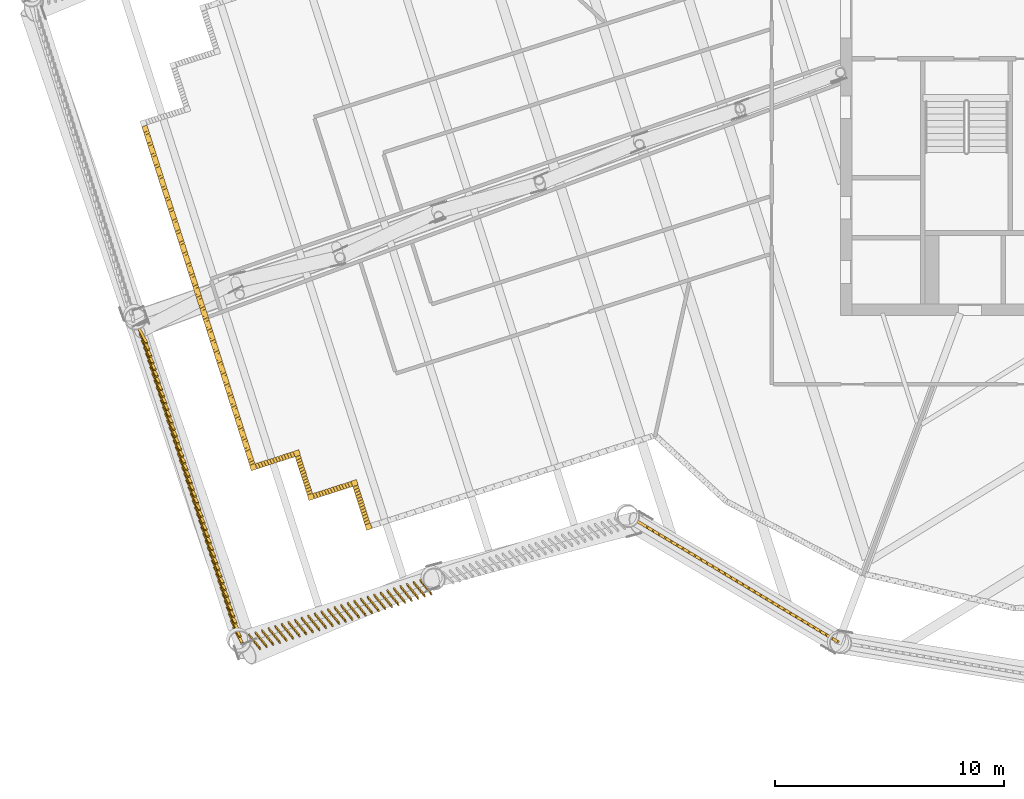
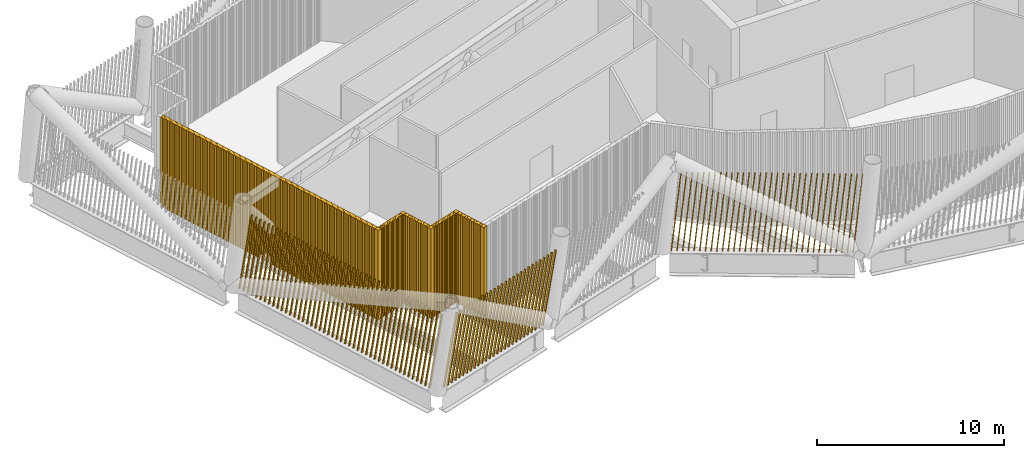
# One storey, part 29 of 40: 13 shading devices.
"""IFC4 building model written with IfcOpenShell, lengths in metres."""

from ifc_helpers import new_model, si_unit, direction, frame, frame_2d, origin, origin_2d, place, context, subcontext, project, spatial, rectangle, composite_profile, extrude, material, type_object, element, save


model = new_model("IFC4")

# Units and contexts
model_context = context("Model", 3, precision=1e-05, world=origin(), true_north=direction((0.0, 1.0)))
body_context = subcontext(model_context, "Body", "Model", "MODEL_VIEW")
ifc_project = project(units=[si_unit("LENGTHUNIT", "METRE"), si_unit("AREAUNIT", "SQUARE_METRE"), si_unit("VOLUMEUNIT", "CUBIC_METRE"), si_unit("PLANEANGLEUNIT", "RADIAN"), si_unit("MASSUNIT", "GRAM", prefix="KILO")], contexts=[model_context])

# Site, building, storey
site_placement = place(None, origin())
site = spatial("IfcSite", under=ifc_project, at=site_placement, CompositionType="ELEMENT")
building_placement = place(site_placement, origin())
building = spatial("IfcBuilding", under=site, at=building_placement, Name="Tarsis Ring Headquarters", CompositionType="ELEMENT")
storey_placement = place(building_placement, frame((0.0, 0.0, 354.800048828125)))
storey = spatial("IfcBuildingStorey", under=building, at=storey_placement, Name="L84", CompositionType="ELEMENT", Elevation=354.800048828125)

# Shading devices
ifc_material_1 = material(Name="Aluminium louvre", Category="aluminium")
shading_device_type_1 = type_object("IfcShadingDeviceType", Name="Plant louvre fin", PredefinedType="USERDEFINED", material=ifc_material_1)
shading_device_1_placement = place(storey_placement, frame((-40.34521484375, -4.72607421875, 0.0), z_axis=(0.0, 0.0, 1.0), x_axis=(0.303695186492, -0.952762726815, 0.0)))
element("IfcShadingDevice", 1, at=shading_device_1_placement, inside=storey, type_object=shading_device_type_1, Name="Louvre L84-36", ObjectType="Louvre", PredefinedType="USERDEFINED", context=body_context, shape_type="SweptSolid", body=[
    extrude(composite_profile([rectangle(XDim=0.1201171875, YDim=0.239990234375, at=frame_2d((0.076171875, 0.0), x_axis=(0.990268068742, 0.13917310096))), rectangle(XDim=0.1201171875, YDim=0.239990234375, at=frame_2d((0.201904296875, 0.0), x_axis=(0.990268068742, 0.13917310096))), rectangle(XDim=0.1201171875, YDim=0.239990234375, at=frame_2d((0.327880859375, 0.0), x_axis=(0.990268068742, 0.13917310096))), rectangle(XDim=0.1201171875, YDim=0.239990234375, at=frame_2d((0.45361328125, 0.0), x_axis=(0.990268068742, 0.13917310096))), rectangle(XDim=0.1201171875, YDim=0.239990234375, at=frame_2d((0.579345703125, 0.0), x_axis=(0.990268068742, 0.13917310096))), rectangle(XDim=0.1201171875, YDim=0.239990234375, at=frame_2d((0.705078125, 0.0), x_axis=(0.990268068742, 0.13917310096))), rectangle(XDim=0.1201171875, YDim=0.239990234375, at=frame_2d((0.8310546875, 0.0), x_axis=(0.990268068742, 0.13917310096))), rectangle(XDim=0.1201171875, YDim=0.239990234375, at=frame_2d((0.956787109375, 0.0), x_axis=(0.990268068742, 0.13917310096))), rectangle(XDim=0.1201171875, YDim=0.239990234375, at=frame_2d((1.08251953125, 0.0), x_axis=(0.990268068742, 0.13917310096))), rectangle(XDim=0.1201171875, YDim=0.239990234375, at=frame_2d((1.208251953125, 0.0), x_axis=(0.990268068742, 0.13917310096))), rectangle(XDim=0.1201171875, YDim=0.239990234375, at=frame_2d((1.334228515625, 0.0), x_axis=(0.990268068742, 0.13917310096))), rectangle(XDim=0.1201171875, YDim=0.239990234375, at=frame_2d((1.4599609375, 0.0), x_axis=(0.990268068742, 0.13917310096))), rectangle(XDim=0.1201171875, YDim=0.239990234375, at=frame_2d((1.585693359375, 0.0), x_axis=(0.990268068742, 0.13917310096))), rectangle(XDim=0.1201171875, YDim=0.239990234375, at=frame_2d((1.711669921875, 0.0), x_axis=(0.990268068742, 0.13917310096))), rectangle(XDim=0.1201171875, YDim=0.239990234375, at=frame_2d((1.83740234375, 0.0), x_axis=(0.990268068742, 0.13917310096))), rectangle(XDim=0.1201171875, YDim=0.239990234375, at=frame_2d((1.963134765625, 0.0), x_axis=(0.990268068742, 0.13917310096))), rectangle(XDim=0.1201171875, YDim=0.239990234375, at=frame_2d((2.0888671875, 0.0), x_axis=(0.990268068742, 0.13917310096))), rectangle(XDim=0.1201171875, YDim=0.239990234375, at=frame_2d((2.21484375, 0.0), x_axis=(0.990268068742, 0.13917310096))), rectangle(XDim=0.1201171875, YDim=0.239990234375, at=frame_2d((2.340576171875, 0.0), x_axis=(0.990268068742, 0.13917310096))), rectangle(XDim=0.1201171875, YDim=0.239990234375, at=frame_2d((2.46630859375, 0.0), x_axis=(0.990268068742, 0.13917310096))), rectangle(XDim=0.1201171875, YDim=0.239990234375, at=frame_2d((2.592041015625, 0.0), x_axis=(0.990268068742, 0.13917310096))), rectangle(XDim=0.1201171875, YDim=0.239990234375, at=frame_2d((2.718017578125, 0.0), x_axis=(0.990268068742, 0.13917310096))), rectangle(XDim=0.1201171875, YDim=0.239990234375, at=frame_2d((2.84375, 0.0), x_axis=(0.990268068742, 0.13917310096))), rectangle(XDim=0.1201171875, YDim=0.239990234375, at=frame_2d((2.969482421875, 0.0), x_axis=(0.990268068742, 0.13917310096))), rectangle(XDim=0.1201171875, YDim=0.239990234375, at=frame_2d((3.09521484375, 0.0), x_axis=(0.990268068742, 0.13917310096))), rectangle(XDim=0.1201171875, YDim=0.239990234375, at=frame_2d((3.22119140625, 0.0), x_axis=(0.990268068742, 0.13917310096))), rectangle(XDim=0.1201171875, YDim=0.239990234375, at=frame_2d((3.346923828125, 0.0), x_axis=(0.990268068742, 0.13917310096))), rectangle(XDim=0.1201171875, YDim=0.239990234375, at=frame_2d((3.47265625, 0.0), x_axis=(0.990268068742, 0.13917310096))), rectangle(XDim=0.1201171875, YDim=0.239990234375, at=frame_2d((3.5986328125, 0.0), x_axis=(0.990268068742, 0.13917310096))), rectangle(XDim=0.1201171875, YDim=0.239990234375, at=frame_2d((3.724365234375, 0.0), x_axis=(0.990268068742, 0.13917310096))), rectangle(XDim=0.1201171875, YDim=0.239990234375, at=frame_2d((3.85009765625, 0.0), x_axis=(0.990268068742, 0.13917310096))), rectangle(XDim=0.1201171875, YDim=0.239990234375, at=frame_2d((3.975830078125, 0.0), x_axis=(0.990268068742, 0.13917310096))), rectangle(XDim=0.1201171875, YDim=0.239990234375, at=frame_2d((4.101806640625, 0.0), x_axis=(0.990268068742, 0.13917310096))), rectangle(XDim=0.1201171875, YDim=0.239990234375, at=frame_2d((4.2275390625, 0.0), x_axis=(0.990268068742, 0.13917310096))), rectangle(XDim=0.1201171875, YDim=0.239990234375, at=frame_2d((4.353271484375, 0.0), x_axis=(0.990268068742, 0.13917310096))), rectangle(XDim=0.1201171875, YDim=0.239990234375, at=frame_2d((4.47900390625, 0.0), x_axis=(0.990268068742, 0.13917310096))), rectangle(XDim=0.1201171875, YDim=0.239990234375, at=frame_2d((4.60498046875, 0.0), x_axis=(0.990268068742, 0.13917310096))), rectangle(XDim=0.1201171875, YDim=0.239990234375, at=frame_2d((4.730712890625, 0.0), x_axis=(0.990268068742, 0.13917310096))), rectangle(XDim=0.1201171875, YDim=0.239990234375, at=frame_2d((4.8564453125, 0.0), x_axis=(0.990268068742, 0.13917310096))), rectangle(XDim=0.1201171875, YDim=0.239990234375, at=frame_2d((4.982421875, 0.0), x_axis=(0.990268068742, 0.13917310096))), rectangle(XDim=0.1201171875, YDim=0.239990234375, at=frame_2d((5.108154296875, 0.0), x_axis=(0.990268068742, 0.13917310096))), rectangle(XDim=0.1201171875, YDim=0.239990234375, at=frame_2d((5.23388671875, 0.0), x_axis=(0.990268068742, 0.13917310096))), rectangle(XDim=0.1201171875, YDim=0.239990234375, at=frame_2d((5.359619140625, 0.0), x_axis=(0.990268068742, 0.13917310096))), rectangle(XDim=0.1201171875, YDim=0.239990234375, at=frame_2d((5.485595703125, 0.0), x_axis=(0.990268068742, 0.13917310096))), rectangle(XDim=0.1201171875, YDim=0.239990234375, at=frame_2d((5.611328125, 0.0), x_axis=(0.990268068742, 0.13917310096))), rectangle(XDim=0.1201171875, YDim=0.239990234375, at=frame_2d((5.737060546875, 0.0), x_axis=(0.990268068742, 0.13917310096))), rectangle(XDim=0.1201171875, YDim=0.239990234375, at=frame_2d((5.86279296875, 0.0), x_axis=(0.990268068742, 0.13917310096))), rectangle(XDim=0.1201171875, YDim=0.239990234375, at=frame_2d((5.98876953125, 0.0), x_axis=(0.990268068742, 0.13917310096))), rectangle(XDim=0.1201171875, YDim=0.239990234375, at=frame_2d((6.114501953125, 0.0), x_axis=(0.990268068742, 0.13917310096))), rectangle(XDim=0.1201171875, YDim=0.239990234375, at=frame_2d((6.240234375, 0.0), x_axis=(0.990268068742, 0.13917310096))), rectangle(XDim=0.1201171875, YDim=0.239990234375, at=frame_2d((6.3662109375, 0.0), x_axis=(0.990268068742, 0.13917310096))), rectangle(XDim=0.1201171875, YDim=0.239990234375, at=frame_2d((6.491943359375, 0.0), x_axis=(0.990268068742, 0.13917310096))), rectangle(XDim=0.1201171875, YDim=0.239990234375, at=frame_2d((6.61767578125, 0.0), x_axis=(0.990268068742, 0.13917310096))), rectangle(XDim=0.1201171875, YDim=0.239990234375, at=frame_2d((6.743408203125, 0.0), x_axis=(0.990268068742, 0.13917310096))), rectangle(XDim=0.1201171875, YDim=0.239990234375, at=frame_2d((6.869384765625, 0.0), x_axis=(0.990268068742, 0.13917310096))), rectangle(XDim=0.1201171875, YDim=0.239990234375, at=frame_2d((6.9951171875, 0.0), x_axis=(0.990268068742, 0.13917310096))), rectangle(XDim=0.1201171875, YDim=0.239990234375, at=frame_2d((7.120849609375, 0.0), x_axis=(0.990268068742, 0.13917310096))), rectangle(XDim=0.1201171875, YDim=0.239990234375, at=frame_2d((7.24658203125, 0.0), x_axis=(0.990268068742, 0.13917310096))), rectangle(XDim=0.1201171875, YDim=0.239990234375, at=frame_2d((7.37255859375, 0.0), x_axis=(0.990268068742, 0.13917310096))), rectangle(XDim=0.1201171875, YDim=0.239990234375, at=frame_2d((7.498291015625, 0.0), x_axis=(0.990268068742, 0.13917310096))), rectangle(XDim=0.1201171875, YDim=0.239990234375, at=frame_2d((7.6240234375, 0.0), x_axis=(0.990268068742, 0.13917310096))), rectangle(XDim=0.1201171875, YDim=0.239990234375, at=frame_2d((7.75, 0.0), x_axis=(0.990268068742, 0.13917310096))), rectangle(XDim=0.1201171875, YDim=0.239990234375, at=frame_2d((7.875732421875, 0.0), x_axis=(0.990268068742, 0.13917310096))), rectangle(XDim=0.1201171875, YDim=0.239990234375, at=frame_2d((8.00146484375, 0.0), x_axis=(0.990268068742, 0.13917310096))), rectangle(XDim=0.1201171875, YDim=0.239990234375, at=frame_2d((8.127197265625, 0.0), x_axis=(0.990268068742, 0.13917310096))), rectangle(XDim=0.1201171875, YDim=0.239990234375, at=frame_2d((8.253173828125, 0.0), x_axis=(0.990268068742, 0.13917310096))), rectangle(XDim=0.1201171875, YDim=0.239990234375, at=frame_2d((8.37890625, 0.0), x_axis=(0.990268068742, 0.13917310096))), rectangle(XDim=0.1201171875, YDim=0.239990234375, at=frame_2d((8.504638671875, 0.0), x_axis=(0.990268068742, 0.13917310096))), rectangle(XDim=0.1201171875, YDim=0.239990234375, at=frame_2d((8.63037109375, 0.0), x_axis=(0.990268068742, 0.13917310096))), rectangle(XDim=0.1201171875, YDim=0.239990234375, at=frame_2d((8.75634765625, 0.0), x_axis=(0.990268068742, 0.13917310096))), rectangle(XDim=0.1201171875, YDim=0.239990234375, at=frame_2d((8.882080078125, 0.0), x_axis=(0.990268068742, 0.13917310096))), rectangle(XDim=0.1201171875, YDim=0.239990234375, at=frame_2d((9.0078125, 0.0), x_axis=(0.990268068742, 0.13917310096))), rectangle(XDim=0.1201171875, YDim=0.239990234375, at=frame_2d((9.133544921875, 0.0), x_axis=(0.990268068742, 0.13917310096))), rectangle(XDim=0.1201171875, YDim=0.239990234375, at=frame_2d((9.259521484375, 0.0), x_axis=(0.990268068742, 0.13917310096))), rectangle(XDim=0.1201171875, YDim=0.239990234375, at=frame_2d((9.38525390625, 0.0), x_axis=(0.990268068742, 0.13917310096))), rectangle(XDim=0.1201171875, YDim=0.239990234375, at=frame_2d((9.510986328125, 0.0), x_axis=(0.990268068742, 0.13917310096))), rectangle(XDim=0.1201171875, YDim=0.239990234375, at=frame_2d((9.636962890625, 0.0), x_axis=(0.990268068742, 0.13917310096))), rectangle(XDim=0.1201171875, YDim=0.239990234375, at=frame_2d((9.7626953125, 0.0), x_axis=(0.990268068742, 0.13917310096))), rectangle(XDim=0.1201171875, YDim=0.239990234375, at=frame_2d((9.888427734375, 0.0), x_axis=(0.990268068742, 0.13917310096))), rectangle(XDim=0.1201171875, YDim=0.239990234375, at=frame_2d((10.01416015625, 0.0), x_axis=(0.990268068742, 0.13917310096))), rectangle(XDim=0.1201171875, YDim=0.239990234375, at=frame_2d((10.14013671875, 0.0), x_axis=(0.990268068742, 0.13917310096))), rectangle(XDim=0.1201171875, YDim=0.239990234375, at=frame_2d((10.265869140625, 0.0), x_axis=(0.990268068742, 0.13917310096))), rectangle(XDim=0.1201171875, YDim=0.239990234375, at=frame_2d((10.3916015625, 0.0), x_axis=(0.990268068742, 0.13917310096))), rectangle(XDim=0.1201171875, YDim=0.239990234375, at=frame_2d((10.517333984375, 0.0), x_axis=(0.990268068742, 0.13917310096))), rectangle(XDim=0.1201171875, YDim=0.239990234375, at=frame_2d((10.643310546875, 0.0), x_axis=(0.990268068742, 0.13917310096))), rectangle(XDim=0.1201171875, YDim=0.239990234375, at=frame_2d((10.76904296875, 0.0), x_axis=(0.990268068742, 0.13917310096))), rectangle(XDim=0.1201171875, YDim=0.239990234375, at=frame_2d((10.894775390625, 0.0), x_axis=(0.990268068742, 0.13917310096))), rectangle(XDim=0.1201171875, YDim=0.239990234375, at=frame_2d((11.020751953125, 0.0), x_axis=(0.990268068742, 0.13917310096))), rectangle(XDim=0.1201171875, YDim=0.239990234375, at=frame_2d((11.146484375, 0.0), x_axis=(0.990268068742, 0.13917310096))), rectangle(XDim=0.1201171875, YDim=0.239990234375, at=frame_2d((11.272216796875, 0.0), x_axis=(0.990268068742, 0.13917310096))), rectangle(XDim=0.1201171875, YDim=0.239990234375, at=frame_2d((11.39794921875, 0.0), x_axis=(0.990268068742, 0.13917310096))), rectangle(XDim=0.1201171875, YDim=0.239990234375, at=frame_2d((11.52392578125, 0.0), x_axis=(0.990268068742, 0.13917310096))), rectangle(XDim=0.1201171875, YDim=0.239990234375, at=frame_2d((11.649658203125, 0.0), x_axis=(0.990268068742, 0.13917310096))), rectangle(XDim=0.1201171875, YDim=0.239990234375, at=frame_2d((11.775390625, 0.0), x_axis=(0.990268068742, 0.13917310096))), rectangle(XDim=0.1201171875, YDim=0.239990234375, at=frame_2d((11.901123046875, 0.0), x_axis=(0.990268068742, 0.13917310096))), rectangle(XDim=0.1201171875, YDim=0.239990234375, at=frame_2d((12.027099609375, 0.0), x_axis=(0.990268068742, 0.13917310096))), rectangle(XDim=0.1201171875, YDim=0.239990234375, at=frame_2d((12.15283203125, 0.0), x_axis=(0.990268068742, 0.13917310096))), rectangle(XDim=0.1201171875, YDim=0.239990234375, at=frame_2d((12.278564453125, 0.0), x_axis=(0.990268068742, 0.13917310096))), rectangle(XDim=0.1201171875, YDim=0.239990234375, at=frame_2d((12.404541015625, 0.0), x_axis=(0.990268068742, 0.13917310096))), rectangle(XDim=0.1201171875, YDim=0.239990234375, at=frame_2d((12.5302734375, 0.0), x_axis=(0.990268068742, 0.13917310096))), rectangle(XDim=0.1201171875, YDim=0.239990234375, at=frame_2d((12.656005859375, 0.0), x_axis=(0.990268068742, 0.13917310096))), rectangle(XDim=0.1201171875, YDim=0.239990234375, at=frame_2d((12.78173828125, 0.0), x_axis=(0.990268068742, 0.13917310096))), rectangle(XDim=0.1201171875, YDim=0.239990234375, at=frame_2d((12.90771484375, 0.0), x_axis=(0.990268068742, 0.13917310096))), rectangle(XDim=0.1201171875, YDim=0.239990234375, at=frame_2d((13.033447265625, 0.0), x_axis=(0.990268068742, 0.13917310096))), rectangle(XDim=0.1201171875, YDim=0.239990234375, at=frame_2d((13.1591796875, 0.0), x_axis=(0.990268068742, 0.13917310096))), rectangle(XDim=0.1201171875, YDim=0.239990234375, at=frame_2d((13.284912109375, 0.0), x_axis=(0.990268068742, 0.13917310096))), rectangle(XDim=0.1201171875, YDim=0.239990234375, at=frame_2d((13.410888671875, 0.0), x_axis=(0.990268068742, 0.13917310096))), rectangle(XDim=0.1201171875, YDim=0.239990234375, at=frame_2d((13.53662109375, 0.0), x_axis=(0.990268068742, 0.13917310096))), rectangle(XDim=0.1201171875, YDim=0.239990234375, at=frame_2d((13.662353515625, 0.0), x_axis=(0.990268068742, 0.13917310096))), rectangle(XDim=0.1201171875, YDim=0.239990234375, at=frame_2d((13.7880859375, 0.0), x_axis=(0.990268068742, 0.13917310096))), rectangle(XDim=0.1201171875, YDim=0.239990234375, at=frame_2d((13.9140625, 0.0), x_axis=(0.990268068742, 0.13917310096))), rectangle(XDim=0.1201171875, YDim=0.239990234375, at=frame_2d((14.039794921875, 0.0), x_axis=(0.990268068742, 0.13917310096))), rectangle(XDim=0.1201171875, YDim=0.239990234375, at=frame_2d((14.16552734375, 0.0), x_axis=(0.990268068742, 0.13917310096))), rectangle(XDim=0.1201171875, YDim=0.239990234375, at=frame_2d((14.29150390625, 0.0), x_axis=(0.990268068742, 0.13917310096))), rectangle(XDim=0.1201171875, YDim=0.239990234375, at=frame_2d((14.417236328125, 0.0), x_axis=(0.990268068742, 0.13917310096))), rectangle(XDim=0.1201171875, YDim=0.239990234375, at=frame_2d((14.54296875, 0.0), x_axis=(0.990268068742, 0.13917310096))), rectangle(XDim=0.1201171875, YDim=0.239990234375, at=frame_2d((14.668701171875, 0.0), x_axis=(0.990268068742, 0.13917310096))), rectangle(XDim=0.1201171875, YDim=0.239990234375, at=frame_2d((14.794677734375, 0.0), x_axis=(0.990268068742, 0.13917310096))), rectangle(XDim=0.1201171875, YDim=0.239990234375, at=frame_2d((14.92041015625, 0.0), x_axis=(0.990268068742, 0.13917310096))), rectangle(XDim=0.1201171875, YDim=0.239990234375, at=frame_2d((15.046142578125, 0.0), x_axis=(0.990268068742, 0.13917310096))), rectangle(XDim=0.1201171875, YDim=0.239990234375, at=frame_2d((15.171875, 0.0), x_axis=(0.990268068742, 0.13917310096))), rectangle(XDim=0.1201171875, YDim=0.239990234375, at=frame_2d((15.2978515625, 0.0), x_axis=(0.990268068742, 0.13917310096))), rectangle(XDim=0.1201171875, YDim=0.239990234375, at=frame_2d((15.423583984375, 0.0), x_axis=(0.990268068742, 0.13917310096)))]), origin(), (0.0, 0.0, 1.0), 5.83984375),
])
for number, where, z_axis, x_axis, name in (
    (2, (-35.48095703125, -19.5751953125, 0.0), (0.0, 0.0, 1.0), (0.952713070163, 0.303668573023, 0.0), "Louvre L84-37"),
    (3, (-33.656494140625, -19.124755859375, 0.0), (0.0, 0.0, 1.0), (0.303668573023, -0.952713070163, 0.0), "Louvre L84-38"),
    (4, (-32.968017578125, -20.873291015625, 0.0), (0.0, 0.0, 1.0), (0.952713070163, 0.303668573023, 0.0), "Louvre L84-39"),
    (5, (-31.1435546875, -20.4228515625, 0.0), (0.0, 0.0, 1.0), (0.303668573023, -0.952713070163, 0.0), "Louvre L84-40"),
):
    element("IfcShadingDevice", number, at=place(storey_placement, frame(where, z_axis=z_axis, x_axis=x_axis)), inside=storey, type_object=shading_device_type_1, Name=name, ObjectType="Louvre", PredefinedType="USERDEFINED", context=body_context, shape_type="SweptSolid", body=[
        extrude(composite_profile([rectangle(XDim=0.1201171875, YDim=0.239990234375, at=frame_2d((0.078125, 0.0), x_axis=(0.987688340595, 0.15643446504))), rectangle(XDim=0.1201171875, YDim=0.239990234375, at=frame_2d((0.2109375, 0.0), x_axis=(0.987688340595, 0.15643446504))), rectangle(XDim=0.1201171875, YDim=0.239990234375, at=frame_2d((0.34375, 0.0), x_axis=(0.987688340595, 0.15643446504))), rectangle(XDim=0.1201171875, YDim=0.239990234375, at=frame_2d((0.4765625, 0.0), x_axis=(0.987688340595, 0.15643446504))), rectangle(XDim=0.1201171875, YDim=0.239990234375, at=frame_2d((0.609375, 0.0), x_axis=(0.987688340595, 0.15643446504))), rectangle(XDim=0.1201171875, YDim=0.239990234375, at=frame_2d((0.7421875, 0.0), x_axis=(0.987688340595, 0.15643446504))), rectangle(XDim=0.1201171875, YDim=0.239990234375, at=frame_2d((0.875, 0.0), x_axis=(0.987688340595, 0.15643446504))), rectangle(XDim=0.1201171875, YDim=0.239990234375, at=frame_2d((1.0078125, 0.0), x_axis=(0.987688340595, 0.15643446504))), rectangle(XDim=0.1201171875, YDim=0.239990234375, at=frame_2d((1.140625, 0.0), x_axis=(0.987688340595, 0.15643446504))), rectangle(XDim=0.1201171875, YDim=0.239990234375, at=frame_2d((1.2734375, 0.0), x_axis=(0.987688340595, 0.15643446504))), rectangle(XDim=0.1201171875, YDim=0.239990234375, at=frame_2d((1.40625, 0.0), x_axis=(0.987688340595, 0.15643446504))), rectangle(XDim=0.1201171875, YDim=0.239990234375, at=frame_2d((1.5390625, 0.0), x_axis=(0.987688340595, 0.15643446504))), rectangle(XDim=0.1201171875, YDim=0.239990234375, at=frame_2d((1.671875, 0.0), x_axis=(0.987688340595, 0.15643446504)))]), origin(), (0.0, 0.0, 1.0), 5.83984375),
    ])
ifc_material_2 = material(Name="Terracotta baguette", Category="masonry")
shading_device_type_2 = type_object("IfcShadingDeviceType", Name="Terracotta baguette screen", PredefinedType="USERDEFINED", material=ifc_material_2)
shading_device_2_placement = place(storey_placement, frame((-40.626708984375, -13.474853515625, 0.0), z_axis=(0.0, 0.0, 1.0), x_axis=(0.303706324635, -0.9527642636, 0.0)))
element("IfcShadingDevice", 6, at=shading_device_2_placement, inside=storey, type_object=shading_device_type_2, Name="Baguette screen L84-16", ObjectType="Terracotta baguette screen", PredefinedType="USERDEFINED", context=body_context, shape_type="SweptSolid", body=[
    extrude(composite_profile([rectangle(XDim=0.06005859375, YDim=0.1201171875, at=frame_2d((0.030029296875, 0.0))), rectangle(XDim=0.06005859375, YDim=0.1201171875, at=frame_2d((0.33544921875, 0.0))), rectangle(XDim=0.06005859375, YDim=0.1201171875, at=frame_2d((0.640625, 0.0))), rectangle(XDim=0.06005859375, YDim=0.1201171875, at=frame_2d((0.946044921875, 0.0))), rectangle(XDim=0.06005859375, YDim=0.1201171875, at=frame_2d((1.25146484375, 0.0))), rectangle(XDim=0.06005859375, YDim=0.1201171875, at=frame_2d((1.556640625, 0.0))), rectangle(XDim=0.06005859375, YDim=0.1201171875, at=frame_2d((1.862060546875, 0.0))), rectangle(XDim=0.06005859375, YDim=0.1201171875, at=frame_2d((2.16748046875, 0.0))), rectangle(XDim=0.06005859375, YDim=0.1201171875, at=frame_2d((2.47265625, 0.0))), rectangle(XDim=0.06005859375, YDim=0.1201171875, at=frame_2d((2.778076171875, 0.0))), rectangle(XDim=0.06005859375, YDim=0.1201171875, at=frame_2d((3.08349609375, 0.0))), rectangle(XDim=0.06005859375, YDim=0.1201171875, at=frame_2d((3.388671875, 0.0))), rectangle(XDim=0.06005859375, YDim=0.1201171875, at=frame_2d((3.694091796875, 0.0))), rectangle(XDim=0.06005859375, YDim=0.1201171875, at=frame_2d((3.99951171875, 0.0))), rectangle(XDim=0.06005859375, YDim=0.1201171875, at=frame_2d((4.3046875, 0.0))), rectangle(XDim=0.06005859375, YDim=0.1201171875, at=frame_2d((4.610107421875, 0.0))), rectangle(XDim=0.06005859375, YDim=0.1201171875, at=frame_2d((4.91552734375, 0.0))), rectangle(XDim=0.06005859375, YDim=0.1201171875, at=frame_2d((5.220703125, 0.0))), rectangle(XDim=0.06005859375, YDim=0.1201171875, at=frame_2d((5.526123046875, 0.0))), rectangle(XDim=0.06005859375, YDim=0.1201171875, at=frame_2d((5.83154296875, 0.0))), rectangle(XDim=0.06005859375, YDim=0.1201171875, at=frame_2d((6.13671875, 0.0))), rectangle(XDim=0.06005859375, YDim=0.1201171875, at=frame_2d((6.442138671875, 0.0))), rectangle(XDim=0.06005859375, YDim=0.1201171875, at=frame_2d((6.74755859375, 0.0))), rectangle(XDim=0.06005859375, YDim=0.1201171875, at=frame_2d((7.052734375, 0.0))), rectangle(XDim=0.06005859375, YDim=0.1201171875, at=frame_2d((7.358154296875, 0.0))), rectangle(XDim=0.06005859375, YDim=0.1201171875, at=frame_2d((7.66357421875, 0.0))), rectangle(XDim=0.06005859375, YDim=0.1201171875, at=frame_2d((7.96875, 0.0))), rectangle(XDim=0.06005859375, YDim=0.1201171875, at=frame_2d((8.274169921875, 0.0))), rectangle(XDim=0.06005859375, YDim=0.1201171875, at=frame_2d((8.57958984375, 0.0))), rectangle(XDim=0.06005859375, YDim=0.1201171875, at=frame_2d((8.884765625, 0.0))), rectangle(XDim=0.06005859375, YDim=0.1201171875, at=frame_2d((9.190185546875, 0.0))), rectangle(XDim=0.06005859375, YDim=0.1201171875, at=frame_2d((9.49560546875, 0.0))), rectangle(XDim=0.06005859375, YDim=0.1201171875, at=frame_2d((9.80078125, 0.0))), rectangle(XDim=0.06005859375, YDim=0.1201171875, at=frame_2d((10.106201171875, 0.0))), rectangle(XDim=0.06005859375, YDim=0.1201171875, at=frame_2d((10.41162109375, 0.0))), rectangle(XDim=0.06005859375, YDim=0.1201171875, at=frame_2d((10.716796875, 0.0))), rectangle(XDim=0.06005859375, YDim=0.1201171875, at=frame_2d((11.022216796875, 0.0))), rectangle(XDim=0.06005859375, YDim=0.1201171875, at=frame_2d((11.32763671875, 0.0))), rectangle(XDim=0.06005859375, YDim=0.1201171875, at=frame_2d((11.6328125, 0.0))), rectangle(XDim=0.06005859375, YDim=0.1201171875, at=frame_2d((11.938232421875, 0.0))), rectangle(XDim=0.06005859375, YDim=0.1201171875, at=frame_2d((12.24365234375, 0.0))), rectangle(XDim=0.06005859375, YDim=0.1201171875, at=frame_2d((12.548828125, 0.0))), rectangle(XDim=0.06005859375, YDim=0.1201171875, at=frame_2d((12.854248046875, 0.0))), rectangle(XDim=0.06005859375, YDim=0.1201171875, at=frame_2d((13.15966796875, 0.0))), rectangle(XDim=0.06005859375, YDim=0.1201171875, at=frame_2d((13.46484375, 0.0))), rectangle(XDim=0.06005859375, YDim=0.1201171875, at=frame_2d((13.770263671875, 0.0)))]), origin(), (0.150858374674, 0.027494140633, 0.988172972218), 5.141357421875),
])
shading_device_3_placement = place(storey_placement, frame((-35.807373046875, -26.947509765625, 0.0), z_axis=(0.0, 0.0, 1.0), x_axis=(0.952761987148, 0.303695007415, 0.0)))
element("IfcShadingDevice", 7, at=shading_device_3_placement, inside=storey, type_object=shading_device_type_2, Name="Baguette screen L84-17", ObjectType="Terracotta baguette screen", PredefinedType="USERDEFINED", context=body_context, shape_type="SweptSolid", body=[
    extrude(composite_profile([rectangle(XDim=0.06005859375, YDim=0.1201171875, at=frame_2d((0.030029296875, 0.0))), rectangle(XDim=0.06005859375, YDim=0.1201171875, at=frame_2d((0.33154296875, 0.0))), rectangle(XDim=0.06005859375, YDim=0.1201171875, at=frame_2d((0.63330078125, 0.0))), rectangle(XDim=0.06005859375, YDim=0.1201171875, at=frame_2d((0.934814453125, 0.0))), rectangle(XDim=0.06005859375, YDim=0.1201171875, at=frame_2d((1.236572265625, 0.0))), rectangle(XDim=0.06005859375, YDim=0.1201171875, at=frame_2d((1.5380859375, 0.0))), rectangle(XDim=0.06005859375, YDim=0.1201171875, at=frame_2d((1.83984375, 0.0))), rectangle(XDim=0.06005859375, YDim=0.1201171875, at=frame_2d((2.141357421875, 0.0))), rectangle(XDim=0.06005859375, YDim=0.1201171875, at=frame_2d((2.443115234375, 0.0))), rectangle(XDim=0.06005859375, YDim=0.1201171875, at=frame_2d((2.74462890625, 0.0))), rectangle(XDim=0.06005859375, YDim=0.1201171875, at=frame_2d((3.04638671875, 0.0))), rectangle(XDim=0.06005859375, YDim=0.1201171875, at=frame_2d((3.347900390625, 0.0))), rectangle(XDim=0.06005859375, YDim=0.1201171875, at=frame_2d((3.649658203125, 0.0))), rectangle(XDim=0.06005859375, YDim=0.1201171875, at=frame_2d((3.951171875, 0.0))), rectangle(XDim=0.06005859375, YDim=0.1201171875, at=frame_2d((4.252685546875, 0.0))), rectangle(XDim=0.06005859375, YDim=0.1201171875, at=frame_2d((4.554443359375, 0.0))), rectangle(XDim=0.06005859375, YDim=0.1201171875, at=frame_2d((4.85595703125, 0.0))), rectangle(XDim=0.06005859375, YDim=0.1201171875, at=frame_2d((5.15771484375, 0.0))), rectangle(XDim=0.06005859375, YDim=0.1201171875, at=frame_2d((5.459228515625, 0.0))), rectangle(XDim=0.06005859375, YDim=0.1201171875, at=frame_2d((5.760986328125, 0.0))), rectangle(XDim=0.06005859375, YDim=0.1201171875, at=frame_2d((6.0625, 0.0))), rectangle(XDim=0.06005859375, YDim=0.1201171875, at=frame_2d((6.3642578125, 0.0))), rectangle(XDim=0.06005859375, YDim=0.1201171875, at=frame_2d((6.665771484375, 0.0))), rectangle(XDim=0.06005859375, YDim=0.1201171875, at=frame_2d((6.967529296875, 0.0))), rectangle(XDim=0.06005859375, YDim=0.1201171875, at=frame_2d((7.26904296875, 0.0))), rectangle(XDim=0.06005859375, YDim=0.1201171875, at=frame_2d((7.57080078125, 0.0))), rectangle(XDim=0.06005859375, YDim=0.1201171875, at=frame_2d((7.872314453125, 0.0)))]), origin(), (0.053542509763, -0.135072351411, 0.989388022736), 5.135009765625),
])
shading_device_4_placement = place(storey_placement, frame((-18.8916015625, -21.94970703125, 0.0), z_axis=(0.0, 0.0, 1.0), x_axis=(0.85711430356, -0.515103060587, 0.0)))
element("IfcShadingDevice", 8, at=shading_device_4_placement, inside=storey, type_object=shading_device_type_2, Name="Baguette screen L84-19", ObjectType="Terracotta baguette screen", PredefinedType="USERDEFINED", context=body_context, shape_type="SweptSolid", body=[
    extrude(composite_profile([rectangle(XDim=0.06005859375, YDim=0.1201171875, at=frame_2d((0.030029296875, 0.0))), rectangle(XDim=0.06005859375, YDim=0.1201171875, at=frame_2d((0.33349609375, 0.0))), rectangle(XDim=0.06005859375, YDim=0.1201171875, at=frame_2d((0.636962890625, 0.0))), rectangle(XDim=0.06005859375, YDim=0.1201171875, at=frame_2d((0.9404296875, 0.0))), rectangle(XDim=0.06005859375, YDim=0.1201171875, at=frame_2d((1.243896484375, 0.0))), rectangle(XDim=0.06005859375, YDim=0.1201171875, at=frame_2d((1.54736328125, 0.0))), rectangle(XDim=0.06005859375, YDim=0.1201171875, at=frame_2d((1.85107421875, 0.0))), rectangle(XDim=0.06005859375, YDim=0.1201171875, at=frame_2d((2.154541015625, 0.0))), rectangle(XDim=0.06005859375, YDim=0.1201171875, at=frame_2d((2.4580078125, 0.0))), rectangle(XDim=0.06005859375, YDim=0.1201171875, at=frame_2d((2.761474609375, 0.0))), rectangle(XDim=0.06005859375, YDim=0.1201171875, at=frame_2d((3.06494140625, 0.0))), rectangle(XDim=0.06005859375, YDim=0.1201171875, at=frame_2d((3.368408203125, 0.0))), rectangle(XDim=0.06005859375, YDim=0.1201171875, at=frame_2d((3.671875, 0.0))), rectangle(XDim=0.06005859375, YDim=0.1201171875, at=frame_2d((3.975341796875, 0.0))), rectangle(XDim=0.06005859375, YDim=0.1201171875, at=frame_2d((4.27880859375, 0.0))), rectangle(XDim=0.06005859375, YDim=0.1201171875, at=frame_2d((4.582275390625, 0.0))), rectangle(XDim=0.06005859375, YDim=0.1201171875, at=frame_2d((4.8857421875, 0.0))), rectangle(XDim=0.06005859375, YDim=0.1201171875, at=frame_2d((5.189453125, 0.0))), rectangle(XDim=0.06005859375, YDim=0.1201171875, at=frame_2d((5.492919921875, 0.0))), rectangle(XDim=0.06005859375, YDim=0.1201171875, at=frame_2d((5.79638671875, 0.0))), rectangle(XDim=0.06005859375, YDim=0.1201171875, at=frame_2d((6.099853515625, 0.0))), rectangle(XDim=0.06005859375, YDim=0.1201171875, at=frame_2d((6.4033203125, 0.0))), rectangle(XDim=0.06005859375, YDim=0.1201171875, at=frame_2d((6.706787109375, 0.0))), rectangle(XDim=0.06005859375, YDim=0.1201171875, at=frame_2d((7.01025390625, 0.0))), rectangle(XDim=0.06005859375, YDim=0.1201171875, at=frame_2d((7.313720703125, 0.0))), rectangle(XDim=0.06005859375, YDim=0.1201171875, at=frame_2d((7.6171875, 0.0))), rectangle(XDim=0.06005859375, YDim=0.1201171875, at=frame_2d((7.920654296875, 0.0))), rectangle(XDim=0.06005859375, YDim=0.1201171875, at=frame_2d((8.224365234375, 0.0))), rectangle(XDim=0.06005859375, YDim=0.1201171875, at=frame_2d((8.52783203125, 0.0))), rectangle(XDim=0.06005859375, YDim=0.1201171875, at=frame_2d((8.831298828125, 0.0))), rectangle(XDim=0.06005859375, YDim=0.1201171875, at=frame_2d((9.134765625, 0.0))), rectangle(XDim=0.06005859375, YDim=0.1201171875, at=frame_2d((9.438232421875, 0.0))), rectangle(XDim=0.06005859375, YDim=0.1201171875, at=frame_2d((9.74169921875, 0.0)))]), origin(), (0.101449765205, 0.000920419671, 0.994840237409), 5.10693359375),
])
shading_device_type_3 = type_object("IfcShadingDeviceType", Name="Terracotta corner baguette 250x250", PredefinedType="USERDEFINED", material=ifc_material_2)
for number, where, z_axis, x_axis, name in (
    (9, (-30.573974609375, -22.20947265625, 0.0), (0.0, 0.0, 1.0), (0.303700966429, -0.952767402355, 0.0), "Corner baguette L84-01"),
    (10, (-35.599853515625, -19.613037109375, 0.0), (0.0, 0.0, 1.0), (0.303700500819, -0.952767550771, 0.0), "Corner baguette L84-37"),
    (11, (-33.6943359375, -19.005615234375, 0.0), (0.0, 0.0, 1.0), (0.952767402355, 0.303700966429, 0.0), "Corner baguette L84-38"),
    (12, (-33.0869140625, -20.9111328125, 0.0), (0.0, 0.0, 1.0), (0.303700367788, -0.952767593176, 0.0), "Corner baguette L84-39"),
    (13, (-31.181396484375, -20.303955078125, 0.0), (0.0, 0.0, 1.0), (0.95276754547, 0.303700517448, 0.0), "Corner baguette L84-40"),
):
    element("IfcShadingDevice", number, at=place(storey_placement, frame(where, z_axis=z_axis, x_axis=x_axis)), inside=storey, type_object=shading_device_type_3, Name=name, ObjectType="Terracotta corner baguette", PredefinedType="USERDEFINED", context=body_context, shape_type="SweptSolid", body=[
        extrude(rectangle(XDim=0.25, YDim=0.25, at=origin_2d()), origin(), (0.0, 0.0, 1.0), 5.840087890625),
    ])

save(model, "model.ifc")
